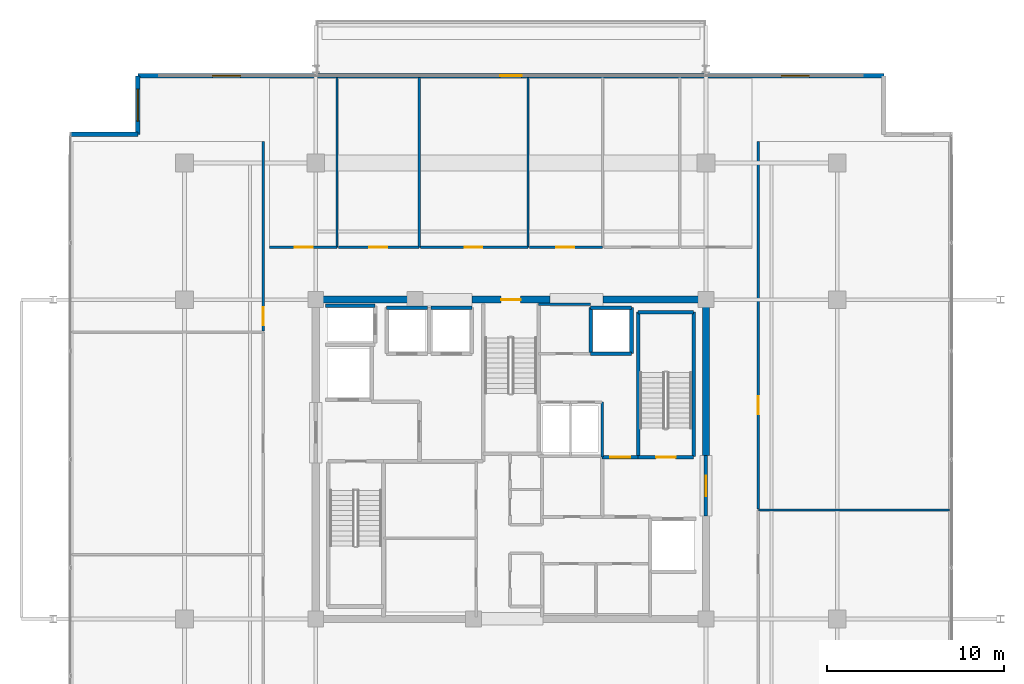
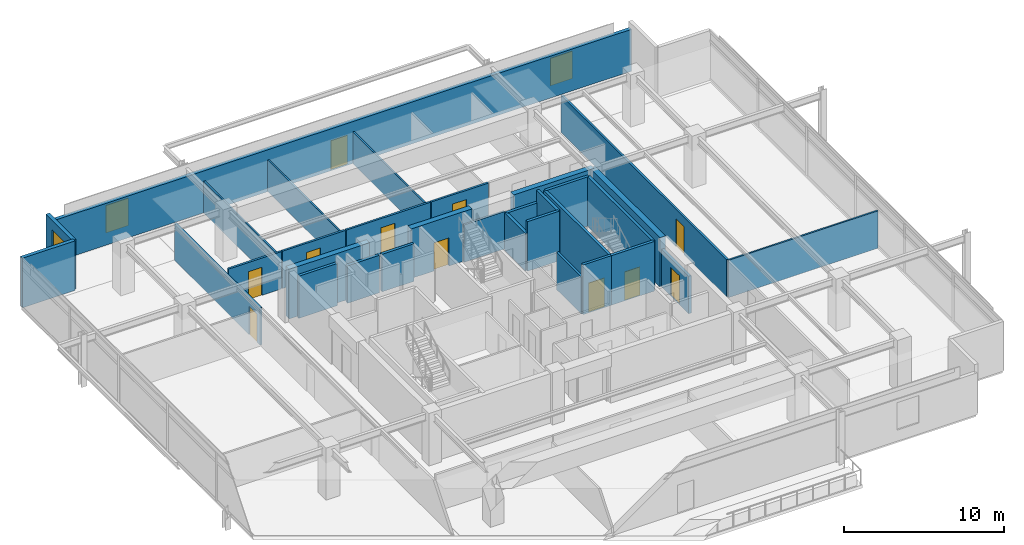
# One storey, part 16 of 21: 32 walls, 11 doors, 3 windows, 14 openings.
"""IFC4 building model written with IfcOpenShell, lengths in metres."""

import ifcopenshell
import ifcopenshell.guid

model = None  # the IFC model being written
_history = None  # IfcOwnerHistory: only IFC2X3 demands one
_inside = {}  # id of a spatial element -> (the spatial element, [elements in it])
_under = {}  # id of a project, library or spatial element -> (it, [spatial elements below it])
_declared = {}  # id of a project -> (the project, [libraries it declares])
_typed = {}  # id of a type object -> (the type object, [elements of that type])
_made_of = {}  # id of a material, layer set ... -> (it, [elements and type objects made of it])


def new_model(schema):
    """Start an empty IFC model of exactly this schema.

    Asked for "IFC4X3", IfcOpenShell would pick the latest addendum, in which some entities
    have other attributes; the version numbers below select the first issue.
    IFC2X3 requires an IfcOwnerHistory on every rooted entity: one is made here for all.
    """
    global model, _history
    if schema == "IFC4X3":
        model = ifcopenshell.file(schema_version=(4, 3, 0, 0))
    else:
        model = ifcopenshell.file(schema=schema)
    _inside.clear()
    _under.clear()
    _declared.clear()
    _typed.clear()
    _made_of.clear()
    _history = None
    if model.schema == "IFC2X3":
        org = make("IfcOrganization", Name="unknown")
        user = make(
            "IfcPersonAndOrganization",
            ThePerson=make("IfcPerson", FamilyName="unknown"),
            TheOrganization=org,
        )
        app = make(
            "IfcApplication",
            ApplicationDeveloper=org,
            Version="unknown",
            ApplicationFullName="unknown",
            ApplicationIdentifier="unknown",
        )
        _history = make(
            "IfcOwnerHistory",
            OwningUser=user,
            OwningApplication=app,
            ChangeAction="ADDED",
            CreationDate=0,
        )
    return model


def make(cls, **values):
    """One entity of the class cls with the attributes given. An attribute that is None is left unset."""
    return model.create_entity(
        cls, **{name: value for name, value in values.items() if value is not None}
    )


def rooted(cls, **values):
    """An entity with a GlobalId (a new one), such as an element, a storey or a relation."""
    return make(cls, GlobalId=ifcopenshell.guid.new(), OwnerHistory=_history, **values)


def si_unit(unit_type, name, prefix=None):
    """IfcSIUnit, for example si_unit("LENGTHUNIT", "METRE", prefix="MILLI")."""
    return make("IfcSIUnit", UnitType=unit_type, Prefix=prefix, Name=name)


def assignment(units):
    """IfcUnitAssignment: the units of a project."""
    return None if units is None else make("IfcUnitAssignment", Units=units)


def point(xyz):
    """IfcCartesianPoint."""
    return None if xyz is None else make("IfcCartesianPoint", Coordinates=xyz)


def direction(xyz):
    """IfcDirection."""
    return None if xyz is None else make("IfcDirection", DirectionRatios=xyz)


def frame(location, z_axis=None, x_axis=None):
    """IfcAxis2Placement3D, a coordinate frame: its origin and axes. An axis left out is left unset."""
    return make(
        "IfcAxis2Placement3D",
        Location=point(location),
        Axis=direction(z_axis),
        RefDirection=direction(x_axis),
    )


def frame_2d(location, x_axis=None):
    """IfcAxis2Placement2D, a coordinate frame in the plane: its origin and x axis."""
    return make(
        "IfcAxis2Placement2D", Location=point(location), RefDirection=direction(x_axis)
    )


def origin():
    """The frame at (0, 0, 0) with its axes left unset."""
    return frame((0.0, 0.0, 0.0))


def place(relative_to, where):
    """IfcLocalPlacement: puts the frame where relative to a parent placement (None: the world)."""
    return make(
        "IfcLocalPlacement", PlacementRelTo=relative_to, RelativePlacement=where
    )


def context(
    kind, dimensions, precision=None, world=None, true_north=None, identifier=None
):
    """IfcGeometricRepresentationContext, for example the 3D "Model" context."""
    return make(
        "IfcGeometricRepresentationContext",
        ContextIdentifier=identifier,
        ContextType=kind,
        CoordinateSpaceDimension=dimensions,
        Precision=precision,
        WorldCoordinateSystem=world,
        TrueNorth=true_north,
    )


def subcontext(parent, identifier, kind, view, scale=None):
    """IfcGeometricRepresentationSubContext, for example "Body" below "Model"."""
    return make(
        "IfcGeometricRepresentationSubContext",
        ContextIdentifier=identifier,
        ContextType=kind,
        ParentContext=parent,
        TargetScale=scale,
        TargetView=view,
    )


def project(units=None, contexts=None):
    """IfcProject with its units and contexts."""
    return rooted(
        "IfcProject",
        Name="project",
        RepresentationContexts=contexts,
        UnitsInContext=assignment(units),
    )


def spatial(cls, under=None, at=None, **own):
    """A site, building, storey or space (cls), placed at a placement, below another one or the project."""
    s = rooted(cls, ObjectPlacement=at, **own)
    if under is not None:
        _under.setdefault(under.id(), (under, []))[1].append(s)
    return s


def profile(cls, at=None, kind="AREA", **sizes):
    """A parametric profile (cls). Its sizes go by their IFC names, for example OverallWidth=200.0."""
    return make(cls, ProfileType=kind, Position=at, **sizes)


def rectangle(**sizes):
    """IfcRectangleProfileDef."""
    return profile("IfcRectangleProfileDef", **sizes)


def extrude(swept, where, along, depth):
    """IfcExtrudedAreaSolid: the profile swept, set in the frame where, extruded along a direction by depth."""
    return make(
        "IfcExtrudedAreaSolid",
        SweptArea=swept,
        Position=where,
        ExtrudedDirection=direction(along),
        Depth=depth,
    )


def shape(context_of_items, identifier, shape_type, items):
    """IfcShapeRepresentation: the items that make up one representation, for example the "Body"."""
    return make(
        "IfcShapeRepresentation",
        ContextOfItems=context_of_items,
        RepresentationIdentifier=identifier,
        RepresentationType=shape_type,
        Items=items,
    )


def material(Name=None, Category=None):
    """IfcMaterial."""
    return make("IfcMaterial", Name=Name, Category=Category)


def layer(
    of_material, thickness, ventilated=None, Name=None, Category=None, Priority=None
):
    """IfcMaterialLayer: one layer of a wall or slab, of a material (None: an air gap)."""
    return make(
        "IfcMaterialLayer",
        Material=of_material,
        LayerThickness=thickness,
        IsVentilated=ventilated,
        Name=Name,
        Category=Category,
        Priority=Priority,
    )


def layer_set(layers, Name=None):
    """IfcMaterialLayerSet."""
    return make("IfcMaterialLayerSet", MaterialLayers=layers, LayerSetName=Name)


def made_of(thing, what):
    """Note that an element or type object is made of a material, layer set ...; save() writes the relation."""
    if what is not None:
        _made_of.setdefault(what.id(), (what, []))[1].append(thing)
    return thing


def type_object(cls, material=None, **own):
    """A type object (cls), such as IfcWallType, which elements share."""
    return made_of(rooted(cls, **own), material)


def element(
    cls,
    number,
    at=None,
    inside=None,
    cuts=None,
    type_object=None,
    material=None,
    context=None,
    identifier="Body",
    shape_type=None,
    held_by="IfcProductDefinitionShape",
    body=None,
    shapes=None,
    **own,
):
    """One element of the class cls, such as IfcWall. Its Tag is "e" and its number.

    at: its placement. inside: the storey or other place that contains it. cuts: it is an
    opening in that element (IfcRelVoidsElement). A single representation is given by context,
    identifier, shape_type and body (its items); several are given by shapes. held_by: the class
    of the entity that holds the representations. save() writes the other relations.
    """
    e = rooted(cls, Tag="e%d" % number, ObjectPlacement=at, **own)
    if body is not None:
        shapes = [shape(context, identifier, shape_type, body)]
    if shapes is not None:
        e.Representation = make(held_by, Representations=shapes)
    if inside is not None:
        _inside.setdefault(inside.id(), (inside, []))[1].append(e)
    if cuts is not None:
        rooted(
            "IfcRelVoidsElement", RelatingBuildingElement=cuts, RelatedOpeningElement=e
        )
    if type_object is not None:
        _typed.setdefault(type_object.id(), (type_object, []))[1].append(e)
    return made_of(e, material)


def fill(opening, filler):
    """IfcRelFillsElement: the door or window that sits in an opening."""
    return rooted(
        "IfcRelFillsElement",
        RelatingOpeningElement=opening,
        RelatedBuildingElement=filler,
    )


def aggregate(whole, parts):
    """IfcRelAggregates: a whole, such as a stair, and the parts it consists of."""
    return rooted("IfcRelAggregates", RelatingObject=whole, RelatedObjects=parts)


def save(model, path):
    """Write the relations noted so far, then the file.

    IfcRelAggregates (storeys below a building ...), IfcRelContainedInSpatialStructure (elements
    in a storey), IfcRelDefinesByType, IfcRelAssociatesMaterial and IfcRelDeclares: one each for
    every whole, place, type object, material and project.
    """
    for whole, parts in _under.values():
        aggregate(whole, parts)
    for where, things in _inside.values():
        rooted(
            "IfcRelContainedInSpatialStructure",
            RelatedElements=things,
            RelatingStructure=where,
        )
    for kind, things in _typed.values():
        rooted("IfcRelDefinesByType", RelatedObjects=things, RelatingType=kind)
    for what, things in _made_of.values():
        rooted("IfcRelAssociatesMaterial", RelatedObjects=things, RelatingMaterial=what)
    for by, libraries in _declared.values():
        rooted("IfcRelDeclares", RelatingContext=by, RelatedDefinitions=libraries)
    model.write(path)


model = new_model("IFC4")

# Units and contexts
model_context = context("Model", 3, precision=1e-05, world=origin(), true_north=direction((0.0, 1.0)))
body_context = subcontext(model_context, "Body", "Model", "MODEL_VIEW")
ifc_project = project(units=[si_unit("LENGTHUNIT", "METRE"), si_unit("AREAUNIT", "SQUARE_METRE"), si_unit("VOLUMEUNIT", "CUBIC_METRE"), si_unit("PLANEANGLEUNIT", "RADIAN"), si_unit("MASSUNIT", "GRAM", prefix="KILO")], contexts=[model_context])

# Site, building, storey
site_placement = place(None, origin())
site = spatial("IfcSite", under=ifc_project, at=site_placement, CompositionType="ELEMENT")
building_placement = place(site_placement, origin())
building = spatial("IfcBuilding", under=site, at=building_placement, Name="Kovane Verandah Tower", CompositionType="ELEMENT")
storey_placement = place(building_placement, frame((0.0, 0.0, 326.800048828125)))
storey = spatial("IfcBuildingStorey", under=building, at=storey_placement, Name="L76", CompositionType="ELEMENT", Elevation=326.800048828125)

# Walls
ifc_material_1 = material(Name="Fire-Rated Gypsum Stud Partition", Category="gypsum")
ifc_layer_1 = layer(ifc_material_1, 0.14990234375)
ifc_layer_set_1 = layer_set([ifc_layer_1], Name="Fire-Rated Gypsum Stud Partition")
wall_type_1 = type_object("IfcWallType", Name="WL-COR-150", PredefinedType="PARTITIONING", material=ifc_layer_set_1)
wall_1_placement = place(storey_placement, frame((45.14990234375, 27.6201171875, 0.0), z_axis=(0.0, 0.0, 1.0), x_axis=(0.0, 1.0, 0.0)))
element("IfcWall", 1, at=wall_1_placement, inside=storey, type_object=wall_type_1, Name="L76 East Core Service Riser East Wall", PredefinedType="PARTITIONING", context=body_context, shape_type="SweptSolid", body=[
    extrude(rectangle(XDim=3.099853515625, YDim=0.14990234375, at=frame_2d((1.5498046875, 0.0))), origin(), (0.0, 0.0, 1.0), 2.849853515625),
])
wall_2_placement = place(storey_placement, frame((41.56005859375, 36.25, 0.0), z_axis=(0.0, 0.0, 1.0), x_axis=(1.0, 0.0, 0.0)))
element("IfcWall", 2, at=wall_2_placement, inside=storey, type_object=wall_type_1, Name="L76 Sky Telecom Riser North Wall", PredefinedType="PARTITIONING", context=body_context, shape_type="SweptSolid", body=[
    extrude(rectangle(XDim=2.93994140625, YDim=0.14990234375, at=frame_2d((1.469970703125, 0.0))), origin(), (0.0, 0.0, 1.0), 2.849853515625),
])

# Wall, opening, door
wall_3_placement = place(storey_placement, frame((26.39990234375, 39.449951171875, 0.0), z_axis=(0.0, 0.0, 1.0), x_axis=(1.0, 0.0, 0.0)))
wall_3 = element("IfcWall", 3, at=wall_3_placement, inside=storey, type_object=wall_type_1, Name="L76 Meeting Room N1 Corridor Partition", PredefinedType="PARTITIONING", context=body_context, shape_type="SweptSolid", body=[
    extrude(rectangle(XDim=3.80810546875, YDim=0.14990234375, at=frame_2d((1.904052734375, 0.0))), origin(), (0.0, 0.0, 1.0), 2.849853515625),
])
opening_1_placement = place(wall_3_placement, frame((1.4189453125, 0.0, 0.0)))
opening_1 = element("IfcOpeningElement", 4, at=opening_1_placement, cuts=wall_3, Name="Opening DR-L76-021", PredefinedType="OPENING", context=body_context, shape_type="SweptSolid", body=[
    extrude(rectangle(XDim=1.0, YDim=2.14990234375, at=frame_2d((0.5, 1.074951171875))), frame((0.0, 0.074951171875, 0.0), z_axis=(0.0, -1.0, 0.0), x_axis=(1.0, 0.0, 0.0)), (0.0, 0.0, 1.0), 0.14990234375),
])
ifc_material_2 = material(Name="FSC Spotted-Gum Timber Fire-Rated Office Door", Category="wood")
door_type_1 = type_object("IfcDoorType", Name="DR-OFF-1000", OperationType="SINGLE_SWING_LEFT", PredefinedType="DOOR", material=ifc_material_2)
door_1_placement = place(opening_1_placement, origin())
door_1 = element("IfcDoor", 5, at=door_1_placement, inside=storey, type_object=door_type_1, Name="L76 Meeting Room N1 Entrance Door", OperationType="SINGLE_SWING_LEFT", OverallHeight=2.14990234375, OverallWidth=1.0, PredefinedType="DOOR", context=body_context, shape_type="SweptSolid", body=[
    extrude(rectangle(XDim=1.0, YDim=2.14990234375, at=frame_2d((0.5, 1.074951171875))), frame((0.0, 0.02490234375, 0.0), z_axis=(0.0, -1.0, 0.0), x_axis=(1.0, 0.0, 0.0)), (0.0, 0.0, 1.0), 0.050048828125),
])
fill(opening_1, door_1)

wall_4_placement = place(storey_placement, frame((30.278076171875, 39.449951171875, 0.0), z_axis=(0.0, 0.0, 1.0), x_axis=(1.0, 0.0, 0.0)))
wall_4 = element("IfcWall", 6, at=wall_4_placement, inside=storey, type_object=wall_type_1, Name="L76 Focus Studio N2 Corridor Partition", PredefinedType="PARTITIONING", context=body_context, shape_type="SweptSolid", body=[
    extrude(rectangle(XDim=4.553955078125, YDim=0.14990234375, at=frame_2d((2.27685546875, 0.0))), origin(), (0.0, 0.0, 1.0), 2.849853515625),
])
opening_2_placement = place(wall_4_placement, frame((1.741943359375, 0.0, 0.0)))
opening_2 = element("IfcOpeningElement", 7, at=opening_2_placement, cuts=wall_4, Name="Opening DR-L76-022", PredefinedType="OPENING", context=body_context, shape_type="SweptSolid", body=[
    extrude(rectangle(XDim=1.0, YDim=2.14990234375, at=frame_2d((0.5, 1.074951171875))), frame((0.0, 0.074951171875, 0.0), z_axis=(0.0, -1.0, 0.0), x_axis=(1.0, 0.0, 0.0)), (0.0, 0.0, 1.0), 0.14990234375),
])
door_2_placement = place(opening_2_placement, origin())
door_2 = element("IfcDoor", 8, at=door_2_placement, inside=storey, type_object=door_type_1, Name="L76 Focus Studio N2 Entrance Door", OperationType="SINGLE_SWING_RIGHT", OverallHeight=2.14990234375, OverallWidth=1.0, PredefinedType="DOOR", context=body_context, shape_type="SweptSolid", body=[
    extrude(rectangle(XDim=1.0, YDim=2.14990234375, at=frame_2d((0.5, 1.074951171875))), frame((0.0, 0.02490234375, 0.0), z_axis=(0.0, -1.0, 0.0), x_axis=(1.0, 0.0, 0.0)), (0.0, 0.0, 1.0), 0.050048828125),
])
fill(opening_2, door_2)

wall_5_placement = place(storey_placement, frame((34.902099609375, 39.449951171875, 0.0), z_axis=(0.0, 0.0, 1.0), x_axis=(1.0, 0.0, 0.0)))
wall_5 = element("IfcWall", 9, at=wall_5_placement, inside=storey, type_object=wall_type_1, Name="L76 Breakout Pantry N3 Corridor Partition", PredefinedType="PARTITIONING", context=body_context, shape_type="SweptSolid", body=[
    extrude(rectangle(XDim=6.06787109375, YDim=0.14990234375, at=frame_2d((3.033935546875, 0.0))), origin(), (0.0, 0.0, 1.0), 2.849853515625),
])
opening_3_placement = place(wall_5_placement, frame((2.4990234375, 0.0, 0.0)))
opening_3 = element("IfcOpeningElement", 10, at=opening_3_placement, cuts=wall_5, Name="Opening DR-L76-023", PredefinedType="OPENING", context=body_context, shape_type="SweptSolid", body=[
    extrude(rectangle(XDim=1.0, YDim=2.14990234375, at=frame_2d((0.5, 1.074951171875))), frame((0.0, 0.074951171875, 0.0), z_axis=(0.0, -1.0, 0.0), x_axis=(1.0, 0.0, 0.0)), (0.0, 0.0, 1.0), 0.14990234375),
])
door_3_placement = place(opening_3_placement, origin())
door_3 = element("IfcDoor", 11, at=door_3_placement, inside=storey, type_object=door_type_1, Name="L76 Breakout Pantry N3 Entrance Door", OperationType="SINGLE_SWING_LEFT", OverallHeight=2.14990234375, OverallWidth=1.0, PredefinedType="DOOR", context=body_context, shape_type="SweptSolid", body=[
    extrude(rectangle(XDim=1.0, YDim=2.14990234375, at=frame_2d((0.5, 1.074951171875))), frame((0.0, 0.02490234375, 0.0), z_axis=(0.0, -1.0, 0.0), x_axis=(1.0, 0.0, 0.0)), (0.0, 0.0, 1.0), 0.050048828125),
])
fill(opening_3, door_3)

wall_6_placement = place(storey_placement, frame((41.0400390625, 39.449951171875, 0.0), z_axis=(0.0, 0.0, 1.0), x_axis=(1.0, 0.0, 0.0)))
wall_6 = element("IfcWall", 12, at=wall_6_placement, inside=storey, type_object=wall_type_1, Name="L76 Collaboration Hub N4 Corridor Partition", PredefinedType="PARTITIONING", context=body_context, shape_type="SweptSolid", body=[
    extrude(rectangle(XDim=4.1279296875, YDim=0.14990234375, at=frame_2d((2.06396484375, 0.0))), origin(), (0.0, 0.0, 1.0), 2.849853515625),
])
opening_4_placement = place(wall_6_placement, frame((1.529052734375, 0.0, 0.0)))
opening_4 = element("IfcOpeningElement", 13, at=opening_4_placement, cuts=wall_6, Name="Opening DR-L76-024", PredefinedType="OPENING", context=body_context, shape_type="SweptSolid", body=[
    extrude(rectangle(XDim=1.0, YDim=2.14990234375, at=frame_2d((0.5, 1.074951171875))), frame((0.0, 0.074951171875, 0.0), z_axis=(0.0, -1.0, 0.0), x_axis=(1.0, 0.0, 0.0)), (0.0, 0.0, 1.0), 0.14990234375),
])
door_4_placement = place(opening_4_placement, origin())
door_4 = element("IfcDoor", 14, at=door_4_placement, inside=storey, type_object=door_type_1, Name="L76 Collaboration Hub N4 Entrance Door", OperationType="SINGLE_SWING_RIGHT", OverallHeight=2.14990234375, OverallWidth=1.0, PredefinedType="DOOR", context=body_context, shape_type="SweptSolid", body=[
    extrude(rectangle(XDim=1.0, YDim=2.14990234375, at=frame_2d((0.5, 1.074951171875))), frame((0.0, 0.02490234375, 0.0), z_axis=(0.0, -1.0, 0.0), x_axis=(1.0, 0.0, 0.0)), (0.0, 0.0, 1.0), 0.050048828125),
])
fill(opening_4, door_4)

wall_7_placement = place(storey_placement, frame((26.050048828125, 34.736328125, 0.0), z_axis=(0.0, 0.0, 1.0), x_axis=(0.0, 1.0, 0.0)))
wall_7 = element("IfcWall", 15, at=wall_7_placement, inside=storey, type_object=wall_type_1, Name="L76 Collaboration Hub W3 Corridor Partition", PredefinedType="PARTITIONING", context=body_context, shape_type="SweptSolid", body=[
    extrude(rectangle(XDim=10.679443359375, YDim=0.14990234375, at=frame_2d((5.33984375, 0.0))), origin(), (0.0, 0.0, 1.0), 2.849853515625),
])
opening_5_placement = place(wall_7_placement, frame((0.331787109375, 0.0, 0.0)))
opening_5 = element("IfcOpeningElement", 16, at=opening_5_placement, cuts=wall_7, Name="Opening DR-L76-035", PredefinedType="OPENING", context=body_context, shape_type="SweptSolid", body=[
    extrude(rectangle(XDim=1.0, YDim=2.14990234375, at=frame_2d((0.5, 1.074951171875))), frame((0.0, 0.074951171875, 0.0), z_axis=(0.0, -1.0, 0.0), x_axis=(1.0, 0.0, 0.0)), (0.0, 0.0, 1.0), 0.14990234375),
])
door_5_placement = place(opening_5_placement, origin())
door_5 = element("IfcDoor", 17, at=door_5_placement, inside=storey, type_object=door_type_1, Name="L76 Collaboration Hub W3 Entrance Door", OperationType="SINGLE_SWING_RIGHT", OverallHeight=2.14990234375, OverallWidth=1.0, PredefinedType="DOOR", context=body_context, shape_type="SweptSolid", body=[
    extrude(rectangle(XDim=1.0, YDim=2.14990234375, at=frame_2d((0.5, 1.074951171875))), frame((0.0, 0.02490234375, 0.0), z_axis=(0.0, -1.0, 0.0), x_axis=(1.0, 0.0, 0.0)), (0.0, 0.0, 1.0), 0.050048828125),
])
fill(opening_5, door_5)

wall_8_placement = place(storey_placement, frame((53.949951171875, 24.70361328125, 0.0), z_axis=(0.0, 0.0, 1.0), x_axis=(0.0, 1.0, 0.0)))
wall_8 = element("IfcWall", 18, at=wall_8_placement, inside=storey, type_object=wall_type_1, Name="L76 Open Plan Office E2 Corridor Partition", PredefinedType="PARTITIONING", context=body_context, shape_type="SweptSolid", body=[
    extrude(rectangle(XDim=20.712158203125, YDim=0.14990234375, at=frame_2d((10.35595703125, 0.0))), origin(), (0.0, 0.0, 1.0), 2.849853515625),
])
opening_6_placement = place(wall_8_placement, frame((5.348388671875, 0.0, 0.0)))
opening_6 = element("IfcOpeningElement", 19, at=opening_6_placement, cuts=wall_8, Name="Opening DR-L76-012", PredefinedType="OPENING", context=body_context, shape_type="SweptSolid", body=[
    extrude(rectangle(XDim=1.0, YDim=2.14990234375, at=frame_2d((0.5, 1.074951171875))), frame((0.0, 0.074951171875, 0.0), z_axis=(0.0, -1.0, 0.0), x_axis=(1.0, 0.0, 0.0)), (0.0, 0.0, 1.0), 0.14990234375),
])
door_6_placement = place(opening_6_placement, origin())
door_6 = element("IfcDoor", 20, at=door_6_placement, inside=storey, type_object=door_type_1, Name="L76 Open Plan Office E2 Entrance Door", OperationType="SINGLE_SWING_RIGHT", OverallHeight=2.14990234375, OverallWidth=1.0, PredefinedType="DOOR", context=body_context, shape_type="SweptSolid", body=[
    extrude(rectangle(XDim=1.0, YDim=2.14990234375, at=frame_2d((0.5, 1.074951171875))), frame((0.0, 0.02490234375, 0.0), z_axis=(0.0, -1.0, 0.0), x_axis=(1.0, 0.0, 0.0)), (0.0, 0.0, 1.0), 0.050048828125),
])
fill(opening_6, door_6)

# Wall
ifc_material_3 = material(Name="Concrete C60/75", Category="concrete")
ifc_layer_2 = layer(ifc_material_3, 0.39990234375)
ifc_layer_set_2 = layer_set([ifc_layer_2], Name="Concrete C60/75")
wall_type_2 = type_object("IfcWallType", Name="WL-CORE-400", PredefinedType="SHEAR", material=ifc_layer_set_2)
wall_9_placement = place(storey_placement, frame((29.0, 36.5, 0.0), z_axis=(0.0, 0.0, 1.0), x_axis=(1.0, 0.0, 0.0)))
element("IfcWall", 21, at=wall_9_placement, inside=storey, type_object=wall_type_2, Name="L76 Core Shear Wall CN-1", PredefinedType="SHEAR", context=body_context, shape_type="SweptSolid", body=[
    extrude(rectangle(XDim=5.800048828125, YDim=0.39990234375, at=frame_2d((2.89990234375, 0.0))), origin(), (0.0, 0.0, 1.0), 3.784912109375),
])

# Wall, opening, door
wall_10_placement = place(storey_placement, frame((37.800048828125, 36.5, 0.0), z_axis=(0.0, 0.0, 1.0), x_axis=(1.0, 0.0, 0.0)))
wall_10 = element("IfcWall", 22, at=wall_10_placement, inside=storey, type_object=wall_type_2, Name="L76 Core Shear Wall CN-2", PredefinedType="SHEAR", context=body_context, shape_type="SweptSolid", body=[
    extrude(rectangle(XDim=4.39990234375, YDim=0.39990234375, at=frame_2d((2.199951171875, 0.0))), origin(), (0.0, 0.0, 1.0), 3.784912109375),
])
opening_7_placement = place(wall_10_placement, frame((1.64990234375, 0.0, 0.0)))
opening_7 = element("IfcOpeningElement", 23, at=opening_7_placement, cuts=wall_10, Name="Opening DR-L76-010", PredefinedType="OPENING", context=body_context, shape_type="SweptSolid", body=[
    extrude(rectangle(XDim=1.10009765625, YDim=2.14990234375, at=frame_2d((0.550048828125, 1.074951171875))), frame((0.0, 0.199951171875, 0.0), z_axis=(0.0, -1.0, 0.0), x_axis=(1.0, 0.0, 0.0)), (0.0, 0.0, 1.0), 0.39990234375),
])
ifc_material_4 = material(Name="Fire-Rated Steel Exit Door", Category="steel")
door_type_2 = type_object("IfcDoorType", Name="DR-STAIR-1100", OperationType="SINGLE_SWING_LEFT", PredefinedType="DOOR", material=ifc_material_4)
door_7_placement = place(opening_7_placement, origin())
door_7 = element("IfcDoor", 24, at=door_7_placement, inside=storey, type_object=door_type_2, Name="L76 ST-03 Fire Exit Stair Door", OperationType="SINGLE_SWING_LEFT", OverallHeight=2.14990234375, OverallWidth=1.10009765625, PredefinedType="DOOR", context=body_context, shape_type="SweptSolid", body=[
    extrude(rectangle(XDim=1.10009765625, YDim=2.14990234375, at=frame_2d((0.550048828125, 1.074951171875))), frame((0.0, 0.02490234375, 0.0), z_axis=(0.0, -1.0, 0.0), x_axis=(1.0, 0.0, 0.0)), (0.0, 0.0, 1.0), 0.050048828125),
])
fill(opening_7, door_7)

# Walls
wall_11_placement = place(storey_placement, frame((45.199951171875, 36.5, 0.0), z_axis=(0.0, 0.0, 1.0), x_axis=(1.0, 0.0, 0.0)))
element("IfcWall", 25, at=wall_11_placement, inside=storey, type_object=wall_type_2, Name="L76 Core Shear Wall CN-3", PredefinedType="SHEAR", context=body_context, shape_type="SweptSolid", body=[
    extrude(rectangle(XDim=5.800048828125, YDim=0.39990234375, at=frame_2d((2.89990234375, 0.0))), origin(), (0.0, 0.0, 1.0), 3.784912109375),
])
wall_12_placement = place(storey_placement, frame((51.0, 27.699951171875, 0.0), z_axis=(0.0, 0.0, 1.0), x_axis=(0.0, 1.0, 0.0)))
element("IfcWall", 26, at=wall_12_placement, inside=storey, type_object=wall_type_2, Name="L76 Core Shear Wall CE-2", PredefinedType="SHEAR", context=body_context, shape_type="SweptSolid", body=[
    extrude(rectangle(XDim=8.800048828125, YDim=0.39990234375, at=frame_2d((4.39990234375, 0.0))), origin(), (0.0, 0.0, 1.0), 3.784912109375),
])

# Wall, opening, door
ifc_material_5 = material(Name="Concrete C45/55 Fire Wall", Category="concrete")
ifc_layer_3 = layer(ifc_material_5, 0.199951171875)
ifc_layer_set_3 = layer_set([ifc_layer_3], Name="Concrete C45/55 Fire Wall")
wall_type_3 = type_object("IfcWallType", Name="WL-FFL-200", PredefinedType="PARTITIONING", material=ifc_layer_set_3)
wall_13_placement = place(storey_placement, frame((45.14990234375, 27.6201171875, 0.0), z_axis=(0.0, 0.0, 1.0), x_axis=(1.0, 0.0, 0.0)))
wall_13 = element("IfcWall", 27, at=wall_13_placement, inside=storey, type_object=wall_type_3, Name="W-L76-FFLE-N", PredefinedType="PARTITIONING", context=body_context, shape_type="SweptSolid", body=[
    extrude(rectangle(XDim=2.030029296875, YDim=0.199951171875, at=frame_2d((1.01513671875, 0.0))), origin(), (0.0, 0.0, 1.0), 3.784912109375),
])
opening_8_placement = place(wall_13_placement, frame((0.43994140625, 0.0, 0.0)))
opening_8 = element("IfcOpeningElement", 28, at=opening_8_placement, cuts=wall_13, Name="Opening DR-L76-004", PredefinedType="OPENING", context=body_context, shape_type="SweptSolid", body=[
    extrude(rectangle(XDim=1.14990234375, YDim=2.199951171875, at=frame_2d((0.574951171875, 1.10009765625))), frame((0.0, 0.10009765625, 0.0), z_axis=(0.0, -1.0, 0.0), x_axis=(1.0, 0.0, 0.0)), (0.0, 0.0, 1.0), 0.199951171875),
])
ifc_material_6 = material(Name="Smoke-Sealed Firefighting Lobby Door", Category="steel")
door_type_3 = type_object("IfcDoorType", Name="DR-FFL-1150", OperationType="SINGLE_SWING_LEFT", PredefinedType="DOOR", material=ifc_material_6)
door_8_placement = place(opening_8_placement, origin())
door_8 = element("IfcDoor", 29, at=door_8_placement, inside=storey, type_object=door_type_3, Name="L76 East Firefighting Lobby Shuttle Link Door", OperationType="SINGLE_SWING_LEFT", OverallHeight=2.199951171875, OverallWidth=1.14990234375, PredefinedType="DOOR", context=body_context, shape_type="SweptSolid", body=[
    extrude(rectangle(XDim=1.14990234375, YDim=2.199951171875, at=frame_2d((0.574951171875, 1.10009765625))), frame((0.0, 0.02490234375, 0.0), z_axis=(0.0, -1.0, 0.0), x_axis=(1.0, 0.0, 0.0)), (0.0, 0.0, 1.0), 0.050048828125),
])
fill(opening_8, door_8)

wall_14_placement = place(storey_placement, frame((51.0, 24.300048828125, 0.0), z_axis=(0.0, 0.0, 1.0), x_axis=(0.0, 1.0, 0.0)))
wall_14 = element("IfcWall", 30, at=wall_14_placement, inside=storey, type_object=wall_type_3, Name="W-L76-FFLE-OUT", PredefinedType="PARTITIONING", context=body_context, shape_type="SweptSolid", body=[
    extrude(rectangle(XDim=3.39990234375, YDim=0.199951171875, at=frame_2d((1.699951171875, 0.0))), origin(), (0.0, 0.0, 1.0), 2.864990234375),
])
opening_9_placement = place(wall_14_placement, frame((1.125, 0.0, 0.0)))
opening_9 = element("IfcOpeningElement", 31, at=opening_9_placement, cuts=wall_14, Name="Opening DR-L76-005", PredefinedType="OPENING", context=body_context, shape_type="SweptSolid", body=[
    extrude(rectangle(XDim=1.14990234375, YDim=2.199951171875, at=frame_2d((0.574951171875, 1.10009765625))), frame((0.0, 0.10009765625, 0.0), z_axis=(0.0, -1.0, 0.0), x_axis=(1.0, 0.0, 0.0)), (0.0, 0.0, 1.0), 0.199951171875),
])
door_9_placement = place(opening_9_placement, origin())
door_9 = element("IfcDoor", 32, at=door_9_placement, inside=storey, type_object=door_type_3, Name="L76 East Firefighting Lobby Corridor Door", OperationType="SINGLE_SWING_LEFT", OverallHeight=2.199951171875, OverallWidth=1.14990234375, PredefinedType="DOOR", context=body_context, shape_type="SweptSolid", body=[
    extrude(rectangle(XDim=1.14990234375, YDim=2.199951171875, at=frame_2d((0.574951171875, 1.10009765625))), frame((0.0, 0.02490234375, 0.0), z_axis=(0.0, -1.0, 0.0), x_axis=(1.0, 0.0, 0.0)), (0.0, 0.0, 1.0), 0.050048828125),
])
fill(opening_9, door_9)

# Walls
ifc_material_7 = material(Name="Concrete C45/55 Lift Shaft Wall", Category="concrete")
ifc_layer_4 = layer(ifc_material_7, 0.199951171875)
ifc_layer_set_4 = layer_set([ifc_layer_4], Name="Concrete C45/55 Lift Shaft Wall")
wall_type_4 = type_object("IfcWallType", Name="WL-LIFT-200", PredefinedType="SOLIDWALL", material=ifc_layer_set_4)
wall_15_placement = place(storey_placement, frame((32.35009765625, 36.14990234375, 0.0), z_axis=(0.0, 0.0, 1.0), x_axis=(-1.0, 0.0, 0.0)))
element("IfcWall", 33, at=wall_15_placement, inside=storey, type_object=wall_type_4, Name="L76 Lift GL-01 N Shaft Wall", PredefinedType="SOLIDWALL", context=body_context, shape_type="SweptSolid", body=[
    extrude(rectangle(XDim=2.800048828125, YDim=0.199951171875, at=frame_2d((1.39990234375, 0.0))), origin(), (0.0, 0.0, 1.0), 3.220458984375),
])
for number, where, z_axis, x_axis, name in (
    (34, (35.300048828125, 36.050048828125, 0.0), (0.0, 0.0, 1.0), (-1.0, 0.0, 0.0), "L76 Lift PL-H1 N Shaft Wall"),
    (35, (37.800048828125, 36.050048828125, 0.0), (0.0, 0.0, 1.0), (-1.0, 0.0, 0.0), "L76 Lift PL-H2 N Shaft Wall"),
):
    element("IfcWall", number, at=place(storey_placement, frame(where, z_axis=z_axis, x_axis=x_axis)), inside=storey, type_object=wall_type_4, Name=name, PredefinedType="SOLIDWALL", context=body_context, shape_type="SweptSolid", body=[
        extrude(rectangle(XDim=2.300048828125, YDim=0.199951171875, at=frame_2d((1.14990234375, 0.0))), origin(), (0.0, 0.0, 1.0), 2.864990234375),
    ])
wall_16_placement = place(storey_placement, frame((44.5, 33.449951171875, 0.0), z_axis=(0.0, 0.0, 1.0), x_axis=(1.0, 0.0, 0.0)))
element("IfcWall", 36, at=wall_16_placement, inside=storey, type_object=wall_type_4, Name="L76 Lift OL-01 S Shaft Wall", PredefinedType="SOLIDWALL", context=body_context, shape_type="SweptSolid", body=[
    extrude(rectangle(XDim=2.300048828125, YDim=0.199951171875, at=frame_2d((1.14990234375, 0.0))), origin(), (0.0, 0.0, 1.0), 3.784912109375),
])
wall_17_placement = place(storey_placement, frame((46.800048828125, 36.050048828125, 0.0), z_axis=(0.0, 0.0, 1.0), x_axis=(-1.0, 0.0, 0.0)))
element("IfcWall", 37, at=wall_17_placement, inside=storey, type_object=wall_type_4, Name="L76 Lift OL-01 N Shaft Wall", PredefinedType="SOLIDWALL", context=body_context, shape_type="SweptSolid", body=[
    extrude(rectangle(XDim=2.300048828125, YDim=0.199951171875, at=frame_2d((1.14990234375, 0.0))), origin(), (0.0, 0.0, 1.0), 2.864990234375),
])
wall_18_placement = place(storey_placement, frame((44.5, 36.050048828125, 0.0), z_axis=(0.0, 0.0, 1.0), x_axis=(0.0, -1.0, 0.0)))
element("IfcWall", 38, at=wall_18_placement, inside=storey, type_object=wall_type_4, Name="L76 Lift OL-01 W Shaft Wall", PredefinedType="SOLIDWALL", context=body_context, shape_type="SweptSolid", body=[
    extrude(rectangle(XDim=2.60009765625, YDim=0.199951171875, at=frame_2d((1.300048828125, 0.0))), origin(), (0.0, 0.0, 1.0), 2.864990234375),
])
wall_19_placement = place(storey_placement, frame((46.800048828125, 33.449951171875, 0.0), z_axis=(0.0, 0.0, 1.0), x_axis=(0.0, 1.0, 0.0)))
element("IfcWall", 39, at=wall_19_placement, inside=storey, type_object=wall_type_4, Name="L76 Lift OL-01 E Shaft Wall", PredefinedType="SOLIDWALL", context=body_context, shape_type="SweptSolid", body=[
    extrude(rectangle(XDim=2.60009765625, YDim=0.199951171875, at=frame_2d((1.300048828125, 0.0))), origin(), (0.0, 0.0, 1.0), 3.784912109375),
])
ifc_material_8 = material(Name="Acoustic Fire-Rated Gypsum Partition", Category="gypsum")
ifc_layer_5 = layer(ifc_material_8, 0.1201171875)
ifc_layer_set_5 = layer_set([ifc_layer_5], Name="Acoustic Fire-Rated Gypsum Partition")
wall_type_5 = type_object("IfcWallType", Name="WL-PART-120", PredefinedType="PARTITIONING", material=ifc_layer_set_5)
for number, where, z_axis, x_axis, name in (
    (40, (30.2080078125, 39.449951171875, 0.0), (0.0, 0.0, 1.0), (0.0, 1.0, 0.0), "L76 Meeting Room N1 Dividing Partition"),
    (41, (34.83203125, 39.449951171875, 0.0), (0.0, 0.0, 1.0), (0.0, 1.0, 0.0), "L76 Focus Studio N2 Dividing Partition"),
    (42, (40.969970703125, 39.449951171875, 0.0), (0.0, 0.0, 1.0), (0.0, 1.0, 0.0), "L76 Breakout Pantry N3 Dividing Partition"),
):
    element("IfcWall", number, at=place(storey_placement, frame(where, z_axis=z_axis, x_axis=x_axis)), inside=storey, type_object=wall_type_5, Name=name, PredefinedType="PARTITIONING", context=body_context, shape_type="SweptSolid", body=[
        extrude(rectangle(XDim=9.565673828125, YDim=0.1201171875, at=frame_2d((4.78271484375, 0.0))), origin(), (0.0, 0.0, 1.0), 2.4150390625),
    ])
wall_20_placement = place(storey_placement, frame((53.949951171875, 24.633544921875, 0.0), z_axis=(0.0, 0.0, 1.0), x_axis=(1.0, 0.0, 0.0)))
element("IfcWall", 43, at=wall_20_placement, inside=storey, type_object=wall_type_5, Name="L76 Document and Print Room E1 Dividing Partition", PredefinedType="PARTITIONING", context=body_context, shape_type="SweptSolid", body=[
    extrude(rectangle(XDim=10.781494140625, YDim=0.1201171875, at=frame_2d((5.390625, 0.0))), origin(), (0.0, 0.0, 1.0), 2.849853515625),
])
ifc_material_9 = material(Name="Concrete C45/55", Category="concrete")
ifc_layer_6 = layer(ifc_material_9, 0.199951171875)
ifc_layer_set_6 = layer_set([ifc_layer_6], Name="Concrete C45/55")
wall_type_6 = type_object("IfcWallType", Name="WL-SHAFT-200", PredefinedType="SOLIDWALL", material=ifc_layer_set_6)
wall_21_placement = place(storey_placement, frame((50.300048828125, 27.64990234375, 0.0), z_axis=(0.0, 0.0, 1.0), x_axis=(0.0, 1.0, 0.0)))
element("IfcWall", 44, at=wall_21_placement, inside=storey, type_object=wall_type_6, Name="W-L76-ST02-E", PredefinedType="SOLIDWALL", context=body_context, shape_type="SweptSolid", body=[
    extrude(rectangle(XDim=8.150146484375, YDim=0.199951171875, at=frame_2d((4.0751953125, 0.0))), origin(), (0.0, 0.0, 1.0), 3.784912109375),
])
wall_22_placement = place(storey_placement, frame((47.179931640625, 35.800048828125, 0.0), z_axis=(0.0, 0.0, 1.0), x_axis=(1.0, 0.0, 0.0)))
element("IfcWall", 45, at=wall_22_placement, inside=storey, type_object=wall_type_6, Name="W-L76-ST02-N", PredefinedType="SOLIDWALL", context=body_context, shape_type="SweptSolid", body=[
    extrude(rectangle(XDim=3.1201171875, YDim=0.199951171875, at=frame_2d((1.56005859375, 0.0))), origin(), (0.0, 0.0, 1.0), 3.784912109375),
])
wall_23_placement = place(storey_placement, frame((47.179931640625, 27.6201171875, 0.0), z_axis=(0.0, 0.0, 1.0), x_axis=(0.0, 1.0, 0.0)))
element("IfcWall", 46, at=wall_23_placement, inside=storey, type_object=wall_type_6, Name="W-L76-ST02-W", PredefinedType="SOLIDWALL", context=body_context, shape_type="SweptSolid", body=[
    extrude(rectangle(XDim=8.179931640625, YDim=0.199951171875, at=frame_2d((4.08984375, 0.0))), origin(), (0.0, 0.0, 1.0), 3.784912109375),
])

# Wall, opening, door
wall_24_placement = place(storey_placement, frame((47.179931640625, 27.6201171875, 0.0), z_axis=(0.0, 0.0, 1.0), x_axis=(1.0, 0.0, 0.0)))
wall_24 = element("IfcWall", 47, at=wall_24_placement, inside=storey, type_object=wall_type_6, Name="W-L76-ST02-S", PredefinedType="SOLIDWALL", context=body_context, shape_type="SweptSolid", body=[
    extrude(rectangle(XDim=3.1201171875, YDim=0.199951171875, at=frame_2d((1.56005859375, 0.0))), origin(), (0.0, 0.0, 1.0), 3.784912109375),
])
opening_10_placement = place(wall_24_placement, frame((1.010009765625, 0.0, 0.0)))
opening_10 = element("IfcOpeningElement", 48, at=opening_10_placement, cuts=wall_24, Name="Opening DR-L76-009", PredefinedType="OPENING", context=body_context, shape_type="SweptSolid", body=[
    extrude(rectangle(XDim=1.10009765625, YDim=2.14990234375, at=frame_2d((0.550048828125, 1.074951171875))), frame((0.0, 0.10009765625, 0.0), z_axis=(0.0, -1.0, 0.0), x_axis=(1.0, 0.0, 0.0)), (0.0, 0.0, 1.0), 0.199951171875),
])
door_10_placement = place(opening_10_placement, origin())
door_10 = element("IfcDoor", 49, at=door_10_placement, inside=storey, type_object=door_type_2, Name="L76 ST-02 Fire Exit Stair Door", OperationType="SINGLE_SWING_RIGHT", OverallHeight=2.14990234375, OverallWidth=1.10009765625, PredefinedType="DOOR", context=body_context, shape_type="SweptSolid", body=[
    extrude(rectangle(XDim=1.10009765625, YDim=2.14990234375, at=frame_2d((0.550048828125, 1.074951171875))), frame((0.0, 0.02490234375, 0.0), z_axis=(0.0, -1.0, 0.0), x_axis=(1.0, 0.0, 0.0)), (0.0, 0.0, 1.0), 0.050048828125),
])
fill(opening_10, door_10)

# Wall, openings, door, windows
ifc_material_10 = material(Name="Concrete C45/55 Insulated Spandrel Wall", Category="concrete")
ifc_layer_7 = layer(ifc_material_10, 0.260009765625)
ifc_layer_set_7 = layer_set([ifc_layer_7], Name="Concrete C45/55 Insulated Spandrel Wall")
wall_type_7 = type_object("IfcWallType", Name="WL-SPANDREL-260", PredefinedType="PARAPET", material=ifc_layer_set_7)
wall_25_placement = place(storey_placement, frame((61.031494140625, 49.11572265625, 0.0), z_axis=(0.0, 0.0, 1.0), x_axis=(-1.0, 0.0, 0.0)))
wall_25 = element("IfcWall", 50, at=wall_25_placement, inside=storey, type_object=wall_type_7, Name="L76 N Verandah Access Facade Wall", PredefinedType="PARAPET", context=body_context, shape_type="SweptSolid", body=[
    extrude(rectangle(XDim=42.06298828125, YDim=0.260009765625, at=frame_2d((21.031494140625, 0.0))), origin(), (0.0, 0.0, 1.0), 3.195556640625),
])
opening_11_placement = place(wall_25_placement, frame((4.199951171875, 0.0, 0.85009765625)))
opening_11 = element("IfcOpeningElement", 51, at=opening_11_placement, cuts=wall_25, Name="Opening W-02", PredefinedType="OPENING", context=body_context, shape_type="SweptSolid", body=[
    extrude(rectangle(XDim=1.60009765625, YDim=2.10009765625, at=frame_2d((0.800048828125, 1.050048828125))), frame((0.0, 0.1298828125, 0.0), z_axis=(0.0, -1.0, 0.0), x_axis=(1.0, 0.0, 0.0)), (0.0, 0.0, 1.0), 0.260009765625),
])
opening_12_placement = place(wall_25_placement, frame((20.431396484375, 0.0, 0.0)))
opening_12 = element("IfcOpeningElement", 52, at=opening_12_placement, cuts=wall_25, Name="Opening DR-L76-001", PredefinedType="OPENING", context=body_context, shape_type="SweptSolid", body=[
    extrude(rectangle(XDim=1.199951171875, YDim=2.199951171875, at=frame_2d((0.60009765625, 1.10009765625))), frame((0.0, 0.1298828125, 0.0), z_axis=(0.0, -1.0, 0.0), x_axis=(1.0, 0.0, 0.0)), (0.0, 0.0, 1.0), 0.260009765625),
])
opening_13_placement = place(wall_25_placement, frame((36.262939453125, 0.0, 0.85009765625)))
opening_13 = element("IfcOpeningElement", 53, at=opening_13_placement, cuts=wall_25, Name="Opening W-02", PredefinedType="OPENING", context=body_context, shape_type="SweptSolid", body=[
    extrude(rectangle(XDim=1.60009765625, YDim=2.10009765625, at=frame_2d((0.800048828125, 1.050048828125))), frame((0.0, 0.1298828125, 0.0), z_axis=(0.0, -1.0, 0.0), x_axis=(1.0, 0.0, 0.0)), (0.0, 0.0, 1.0), 0.260009765625),
])
ifc_material_11 = material(Name="Cyclone-Rated Glazed Balcony Leaf Door", Category="aluminium")
door_type_4 = type_object("IfcDoorType", Name="DR-BAL-1200x2200", OperationType="SINGLE_SWING_LEFT", PredefinedType="DOOR", material=ifc_material_11)
door_11_placement = place(opening_12_placement, origin())
door_11 = element("IfcDoor", 54, at=door_11_placement, inside=storey, type_object=door_type_4, Name="L76 N Planted Balcony Access Door", OperationType="SINGLE_SWING_LEFT", OverallHeight=2.199951171875, OverallWidth=1.199951171875, PredefinedType="DOOR", context=body_context, shape_type="SweptSolid", body=[
    extrude(rectangle(XDim=1.199951171875, YDim=2.199951171875, at=frame_2d((0.60009765625, 1.10009765625))), frame((0.0, 0.02490234375, 0.0), z_axis=(0.0, -1.0, 0.0), x_axis=(1.0, 0.0, 0.0)), (0.0, 0.0, 1.0), 0.050048828125),
])
fill(opening_12, door_11)
ifc_material_12 = material(Name="Clear Low-E Laminated Double Glazing in Anodised Frame", Category="glass")
window_type_1 = type_object("IfcWindowType", Name="WN-OPER-1600x2100", PartitioningType="SINGLE_PANEL", PredefinedType="WINDOW", material=ifc_material_12)
window_1_placement = place(opening_11_placement, origin())
window_1 = element("IfcWindow", 55, at=window_1_placement, inside=storey, type_object=window_type_1, Name="L76 N Verandah View Window 1", OverallHeight=2.10009765625, OverallWidth=1.60009765625, PartitioningType="SINGLE_PANEL", PredefinedType="WINDOW", context=body_context, shape_type="SweptSolid", body=[
    extrude(rectangle(XDim=1.60009765625, YDim=2.10009765625, at=frame_2d((0.800048828125, 1.050048828125))), frame((0.0, 0.030029296875, 0.0), z_axis=(0.0, -1.0, 0.0), x_axis=(1.0, 0.0, 0.0)), (0.0, 0.0, 1.0), 0.06005859375),
])
fill(opening_11, window_1)
window_2_placement = place(opening_13_placement, origin())
window_2 = element("IfcWindow", 56, at=window_2_placement, inside=storey, type_object=window_type_1, Name="L76 N Verandah View Window 2", OverallHeight=2.10009765625, OverallWidth=1.60009765625, PartitioningType="SINGLE_PANEL", PredefinedType="WINDOW", context=body_context, shape_type="SweptSolid", body=[
    extrude(rectangle(XDim=1.60009765625, YDim=2.10009765625, at=frame_2d((0.800048828125, 1.050048828125))), frame((0.0, 0.030029296875, 0.0), z_axis=(0.0, -1.0, 0.0), x_axis=(1.0, 0.0, 0.0)), (0.0, 0.0, 1.0), 0.06005859375),
])
fill(opening_13, window_2)

# Wall, opening, window
wall_26_placement = place(storey_placement, frame((18.968505859375, 49.11572265625, 0.0), z_axis=(0.0, 0.0, 1.0), x_axis=(0.0, -1.0, 0.0)))
wall_26 = element("IfcWall", 57, at=wall_26_placement, inside=storey, type_object=wall_type_7, Name="L76 NW Notch Cheek Wall 1", PredefinedType="PARAPET", context=body_context, shape_type="SweptSolid", body=[
    extrude(rectangle(XDim=3.300048828125, YDim=0.260009765625, at=frame_2d((1.64990234375, 0.0))), origin(), (0.0, 0.0, 1.0), 3.784912109375),
])
opening_14_placement = place(wall_26_placement, frame((0.75, 0.0, 0.85009765625)))
opening_14 = element("IfcOpeningElement", 58, at=opening_14_placement, cuts=wall_26, Name="Opening W-03", PredefinedType="OPENING", context=body_context, shape_type="SweptSolid", body=[
    extrude(rectangle(XDim=1.800048828125, YDim=2.199951171875, at=frame_2d((0.89990234375, 1.10009765625))), frame((0.0, 0.1298828125, 0.0), z_axis=(0.0, -1.0, 0.0), x_axis=(1.0, 0.0, 0.0)), (0.0, 0.0, 1.0), 0.260009765625),
])
window_type_2 = type_object("IfcWindowType", Name="WN-NOTCH-1800x2200", PartitioningType="SINGLE_PANEL", PredefinedType="WINDOW", material=ifc_material_12)
window_3_placement = place(opening_14_placement, origin())
window_3 = element("IfcWindow", 59, at=window_3_placement, inside=storey, type_object=window_type_2, Name="L76 NW Re-Entrant Corner Operable Window", OverallHeight=2.199951171875, OverallWidth=1.800048828125, PartitioningType="SINGLE_PANEL", PredefinedType="WINDOW", context=body_context, shape_type="SweptSolid", body=[
    extrude(rectangle(XDim=1.800048828125, YDim=2.199951171875, at=frame_2d((0.89990234375, 1.10009765625))), frame((0.0, 0.030029296875, 0.0), z_axis=(0.0, -1.0, 0.0), x_axis=(1.0, 0.0, 0.0)), (0.0, 0.0, 1.0), 0.06005859375),
])
fill(opening_14, window_3)

# Wall
wall_27_placement = place(storey_placement, frame((18.968505859375, 45.815673828125, 0.0), z_axis=(0.0, 0.0, 1.0), x_axis=(-1.0, 0.0, 0.0)))
element("IfcWall", 60, at=wall_27_placement, inside=storey, type_object=wall_type_7, Name="L76 NW Notch Cheek Wall 2", PredefinedType="PARAPET", context=body_context, shape_type="SweptSolid", body=[
    extrude(rectangle(XDim=3.800048828125, YDim=0.260009765625, at=frame_2d((1.89990234375, 0.0))), origin(), (0.0, 0.0, 1.0), 3.784912109375),
])

save(model, "model.ifc")
